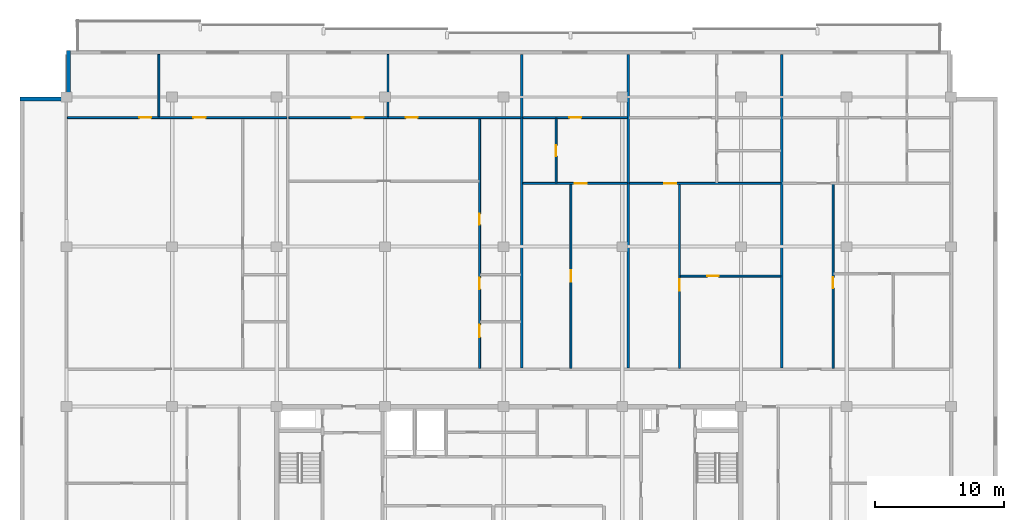
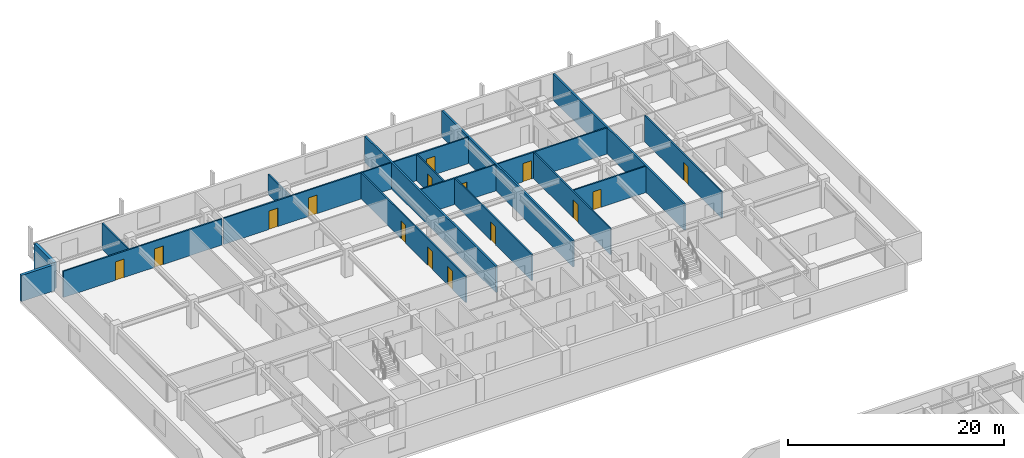
# One storey, part 13 of 21: 18 walls, 15 doors, 15 openings.
"""IFC4 building model written with IfcOpenShell, lengths in metres."""

from ifc_helpers import new_model, si_unit, direction, frame, frame_2d, origin, place, context, subcontext, project, spatial, rectangle, extrude, material, layer, layer_set, type_object, element, fill, save


model = new_model("IFC4")

# Units and contexts
model_context = context("Model", 3, precision=1e-05, world=origin(), true_north=direction((0.0, 1.0)))
body_context = subcontext(model_context, "Body", "Model", "MODEL_VIEW")
ifc_project = project(units=[si_unit("LENGTHUNIT", "METRE"), si_unit("AREAUNIT", "SQUARE_METRE"), si_unit("VOLUMEUNIT", "CUBIC_METRE"), si_unit("PLANEANGLEUNIT", "RADIAN"), si_unit("MASSUNIT", "GRAM", prefix="KILO")], contexts=[model_context])

# Site, building, storey
site_placement = place(None, origin())
site = spatial("IfcSite", under=ifc_project, at=site_placement, CompositionType="ELEMENT")
building_placement = place(site_placement, origin())
building = spatial("IfcBuilding", under=site, at=building_placement, Name="Korimba Cascade Residences", CompositionType="ELEMENT")
storey_placement = place(building_placement, frame((0.0, 0.0, 184.85009765625)))
storey = spatial("IfcBuildingStorey", under=building, at=storey_placement, Name="L53", CompositionType="ELEMENT", Elevation=184.85009765625)

# Walls
ifc_material_1 = material(Name="Precast concrete C40/50", Category="concrete")
ifc_layer_1 = layer(ifc_material_1, 0.300048828125)
ifc_layer_set_1 = layer_set([ifc_layer_1], Name="Precast concrete C40/50")
wall_type_1 = type_object("IfcWallType", Name="EW-STONE-300", PredefinedType="STANDARD", material=ifc_layer_set_1)
for number, where, z_axis, x_axis, name in (
    (1, (59.949951171875, 94.800048828125, 0.0), (0.0, 0.0, 1.0), (0.0, -1.0, 0.0), "L53 T1 Perimeter Stone Wall E07"),
    (2, (59.800048828125, 91.050048828125, 0.0), (0.0, 0.0, 1.0), (-1.0, 0.0, 0.0), "L53 T1 Perimeter Stone Wall E08"),
):
    element("IfcWall", number, at=place(storey_placement, frame(where, z_axis=z_axis, x_axis=x_axis)), inside=storey, type_object=wall_type_1, Name=name, PredefinedType="STANDARD", context=body_context, shape_type="SweptSolid", body=[
        extrude(rectangle(XDim=3.60009765625, YDim=0.300048828125, at=frame_2d((1.800048828125, 0.0))), origin(), (0.0, 0.0, 1.0), 2.969970703125),
    ])
ifc_layer_2 = layer(ifc_material_1, 0.199951171875)
ifc_layer_set_2 = layer_set([ifc_layer_2], Name="Precast concrete C40/50")
wall_type_2 = type_object("IfcWallType", Name="WAL-IT-200", PredefinedType="PARTITIONING", material=ifc_layer_set_2)
for number, where, z_axis, x_axis, name in (
    (3, (95.111328125, 70.179931640625, 0.0), (0.0, 0.0, 1.0), (0.0, 1.0, 0.0), "L53 Partition Wall WAL-L53-T1-DEM-2"),
    (4, (103.37060546875, 70.179931640625, 0.0), (0.0, 0.0, 1.0), (0.0, 1.0, 0.0), "L53 Partition Wall WAL-L53-T1-DEM-3"),
    (5, (115.27734375, 70.179931640625, 0.0), (0.0, 0.0, 1.0), (0.0, 1.0, 0.0), "L53 Partition Wall WAL-L53-T1-DEM-4"),
):
    element("IfcWall", number, at=place(storey_placement, frame(where, z_axis=z_axis, x_axis=x_axis)), inside=storey, type_object=wall_type_2, Name=name, PredefinedType="PARTITIONING", context=body_context, shape_type="SweptSolid", body=[
        extrude(rectangle(XDim=24.320068359375, YDim=0.199951171875, at=frame_2d((12.16015625, 0.0))), origin(), (0.0, 0.0, 1.0), 2.969970703125),
    ])
ifc_material_2 = material(Name="Insulated Acoustic Stud Partition", Category="gypsum")
ifc_layer_3 = layer(ifc_material_2, 0.14990234375)
ifc_layer_set_3 = layer_set([ifc_layer_3], Name="Insulated Acoustic Stud Partition")
wall_type_3 = type_object("IfcWallType", Name="WAL-PART-150", PredefinedType="PARTITIONING", material=ifc_layer_set_3)
wall_1_placement = place(storey_placement, frame((66.964111328125, 89.679931640625, 0.0), z_axis=(0.0, 0.0, 1.0), x_axis=(0.0, 1.0, 0.0)))
element("IfcWall", 6, at=wall_1_placement, inside=storey, type_object=wall_type_3, Name="L53 Partition Wall WAL-L53-T1-U01-OUTV", PredefinedType="PARTITIONING", context=body_context, shape_type="SweptSolid", body=[
    extrude(rectangle(XDim=4.820068359375, YDim=0.14990234375, at=frame_2d((2.41015625, 0.0))), origin(), (0.0, 0.0, 1.0), 2.969970703125),
])

# Wall, openings, doors
wall_2_placement = place(storey_placement, frame((59.8798828125, 89.60009765625, 0.0), z_axis=(0.0, 0.0, 1.0), x_axis=(1.0, 0.0, 0.0)))
wall_2 = element("IfcWall", 7, at=wall_2_placement, inside=storey, type_object=wall_type_3, Name="L53 Partition Wall WAL-L53-T1-U01-HZ", PredefinedType="PARTITIONING", context=body_context, shape_type="SweptSolid", body=[
    extrude(rectangle(XDim=17.00830078125, YDim=0.14990234375, at=frame_2d((8.504150390625, 0.0))), origin(), (0.0, 0.0, 1.0), 2.969970703125),
])
opening_1_placement = place(wall_2_placement, frame((5.555419921875, 0.0, 0.0)))
opening_1 = element("IfcOpeningElement", 8, at=opening_1_placement, cuts=wall_2, Name="Opening D-IN0", PredefinedType="OPENING", context=body_context, shape_type="SweptSolid", body=[
    extrude(rectangle(XDim=0.93994140625, YDim=2.10009765625, at=frame_2d((0.469970703125, 1.050048828125))), frame((0.0, 0.0849609375, 0.0), z_axis=(0.0, -1.0, 0.0), x_axis=(1.0, 0.0, 0.0)), (0.0, 0.0, 1.0), 0.169921875),
])
opening_2_placement = place(wall_2_placement, frame((9.764892578125, 0.0, 0.0)))
opening_2 = element("IfcOpeningElement", 9, at=opening_2_placement, cuts=wall_2, Name="Opening D-IN0", PredefinedType="OPENING", context=body_context, shape_type="SweptSolid", body=[
    extrude(rectangle(XDim=0.93994140625, YDim=2.10009765625, at=frame_2d((0.469970703125, 1.050048828125))), frame((0.0, 0.0849609375, 0.0), z_axis=(0.0, -1.0, 0.0), x_axis=(1.0, 0.0, 0.0)), (0.0, 0.0, 1.0), 0.169921875),
])
ifc_material_3 = material(Name="Acoustic Timber Living Archway Door", Category="wood")
door_type_1 = type_object("IfcDoorType", Name="DR-INT-950", OperationType="NOTDEFINED", PredefinedType="DOOR", material=ifc_material_3)
door_1_placement = place(opening_1_placement, origin())
door_1 = element("IfcDoor", 10, at=door_1_placement, inside=storey, type_object=door_type_1, Name="L53-T1-U01 Resident Boardroom Door", OperationType="SINGLE_SWING_LEFT", OverallHeight=2.10009765625, OverallWidth=0.93994140625, PredefinedType="DOOR", context=body_context, shape_type="SweptSolid", body=[
    extrude(rectangle(XDim=0.93994140625, YDim=2.10009765625, at=frame_2d((0.469970703125, 1.050048828125))), frame((0.0, 0.02490234375, 0.0), z_axis=(0.0, -1.0, 0.0), x_axis=(1.0, 0.0, 0.0)), (0.0, 0.0, 1.0), 0.050048828125),
])
fill(opening_1, door_1)
door_2_placement = place(opening_2_placement, origin())
door_2 = element("IfcDoor", 11, at=door_2_placement, inside=storey, type_object=door_type_1, Name="L53-T1-U01 Executive Seminar Room Door", OperationType="SINGLE_SWING_RIGHT", OverallHeight=2.10009765625, OverallWidth=0.93994140625, PredefinedType="DOOR", context=body_context, shape_type="SweptSolid", body=[
    extrude(rectangle(XDim=0.93994140625, YDim=2.10009765625, at=frame_2d((0.469970703125, 1.050048828125))), frame((0.0, 0.02490234375, 0.0), z_axis=(0.0, -1.0, 0.0), x_axis=(1.0, 0.0, 0.0)), (0.0, 0.0, 1.0), 0.050048828125),
])
fill(opening_2, door_2)

wall_3_placement = place(storey_placement, frame((91.84130859375, 70.159912109375, 0.0), z_axis=(0.0, 0.0, 1.0), x_axis=(0.0, 1.0, 0.0)))
wall_3 = element("IfcWall", 12, at=wall_3_placement, inside=storey, type_object=wall_type_3, Name="L53 Partition Wall WAL-L53-T1-U02-WCV", PredefinedType="PARTITIONING", context=body_context, shape_type="SweptSolid", body=[
    extrude(rectangle(XDim=19.380126953125, YDim=0.14990234375, at=frame_2d((9.68994140625, 0.0))), origin(), (0.0, 0.0, 1.0), 2.969970703125),
])
opening_3_placement = place(wall_3_placement, frame((2.406005859375, 0.0, 0.0)))
opening_3 = element("IfcOpeningElement", 13, at=opening_3_placement, cuts=wall_3, Name="Opening D-AC1", PredefinedType="OPENING", context=body_context, shape_type="SweptSolid", body=[
    extrude(rectangle(XDim=0.9599609375, YDim=2.10009765625, at=frame_2d((0.47998046875, 1.050048828125))), frame((0.0, 0.0849609375, 0.0), z_axis=(0.0, -1.0, 0.0), x_axis=(1.0, 0.0, 0.0)), (0.0, 0.0, 1.0), 0.169921875),
])
opening_4_placement = place(wall_3_placement, frame((6.132568359375, 0.0, 0.0)))
opening_4 = element("IfcOpeningElement", 14, at=opening_4_placement, cuts=wall_3, Name="Opening D-IN2", PredefinedType="OPENING", context=body_context, shape_type="SweptSolid", body=[
    extrude(rectangle(XDim=0.8798828125, YDim=2.06005859375, at=frame_2d((0.43994140625, 1.030029296875))), frame((0.0, 0.0849609375, 0.0), z_axis=(0.0, -1.0, 0.0), x_axis=(1.0, 0.0, 0.0)), (0.0, 0.0, 1.0), 0.169921875),
])
opening_5_placement = place(wall_3_placement, frame((11.138916015625, 0.0, 0.0)))
opening_5 = element("IfcOpeningElement", 15, at=opening_5_placement, cuts=wall_3, Name="Opening D-BT1", PredefinedType="OPENING", context=body_context, shape_type="SweptSolid", body=[
    extrude(rectangle(XDim=0.840087890625, YDim=2.0400390625, at=frame_2d((0.419921875, 1.02001953125))), frame((0.0, 0.0849609375, 0.0), z_axis=(0.0, -1.0, 0.0), x_axis=(1.0, 0.0, 0.0)), (0.0, 0.0, 1.0), 0.169921875),
])
ifc_material_4 = material(Name="Accessible Acoustic Timber WC Door", Category="wood")
door_type_2 = type_object("IfcDoorType", Name="DR-ACC-950", OperationType="NOTDEFINED", PredefinedType="DOOR", material=ifc_material_4)
door_3_placement = place(opening_3_placement, origin())
door_3 = element("IfcDoor", 16, at=door_3_placement, inside=storey, type_object=door_type_2, Name="L53-T1-U02 Accessible WC Door", OperationType="SINGLE_SWING_RIGHT", OverallHeight=2.10009765625, OverallWidth=0.9599609375, PredefinedType="DOOR", context=body_context, shape_type="SweptSolid", body=[
    extrude(rectangle(XDim=0.9599609375, YDim=2.10009765625, at=frame_2d((0.47998046875, 1.050048828125))), frame((0.0, 0.02490234375, 0.0), z_axis=(0.0, -1.0, 0.0), x_axis=(1.0, 0.0, 0.0)), (0.0, 0.0, 1.0), 0.050048828125),
])
fill(opening_3, door_3)
ifc_material_5 = material(Name="Moisture-Resistant Bathroom Timber Door", Category="wood")
door_type_3 = type_object("IfcDoorType", Name="DR-INT-850", OperationType="NOTDEFINED", PredefinedType="DOOR", material=ifc_material_5)
door_4_placement = place(opening_5_placement, origin())
door_4 = element("IfcDoor", 17, at=door_4_placement, inside=storey, type_object=door_type_3, Name="L53-T1-U02 Suite Store Door", OperationType="SINGLE_SWING_RIGHT", OverallHeight=2.0400390625, OverallWidth=0.840087890625, PredefinedType="DOOR", context=body_context, shape_type="SweptSolid", body=[
    extrude(rectangle(XDim=0.840087890625, YDim=2.0400390625, at=frame_2d((0.419921875, 1.02001953125))), frame((0.0, 0.02490234375, 0.0), z_axis=(0.0, -1.0, 0.0), x_axis=(1.0, 0.0, 0.0)), (0.0, 0.0, 1.0), 0.050048828125),
])
fill(opening_5, door_4)
ifc_material_6 = material(Name="Acoustic Timber Bedroom Door", Category="wood")
door_type_4 = type_object("IfcDoorType", Name="DR-INT-880", OperationType="NOTDEFINED", PredefinedType="DOOR", material=ifc_material_6)
door_5_placement = place(opening_4_placement, origin())
door_5 = element("IfcDoor", 18, at=door_5_placement, inside=storey, type_object=door_type_4, Name="L53-T1-U02 Restroom WC Door", OperationType="SINGLE_SWING_LEFT", OverallHeight=2.06005859375, OverallWidth=0.8798828125, PredefinedType="DOOR", context=body_context, shape_type="SweptSolid", body=[
    extrude(rectangle(XDim=0.8798828125, YDim=2.06005859375, at=frame_2d((0.43994140625, 1.030029296875))), frame((0.0, 0.02490234375, 0.0), z_axis=(0.0, -1.0, 0.0), x_axis=(1.0, 0.0, 0.0)), (0.0, 0.0, 1.0), 0.050048828125),
])
fill(opening_4, door_5)

# Wall
wall_4_placement = place(storey_placement, frame((84.73486328125, 89.679931640625, 0.0), z_axis=(0.0, 0.0, 1.0), x_axis=(0.0, 1.0, 0.0)))
element("IfcWall", 19, at=wall_4_placement, inside=storey, type_object=wall_type_3, Name="L53 Partition Wall WAL-L53-T1-U02-OUTV", PredefinedType="PARTITIONING", context=body_context, shape_type="SweptSolid", body=[
    extrude(rectangle(XDim=4.820068359375, YDim=0.14990234375, at=frame_2d((2.41015625, 0.0))), origin(), (0.0, 0.0, 1.0), 2.277099609375),
])

# Wall, openings, doors
wall_5_placement = place(storey_placement, frame((77.048095703125, 89.60009765625, 0.0), z_axis=(0.0, 0.0, 1.0), x_axis=(1.0, 0.0, 0.0)))
wall_5 = element("IfcWall", 20, at=wall_5_placement, inside=storey, type_object=wall_type_3, Name="L53 Partition Wall WAL-L53-T1-U02-HZ", PredefinedType="PARTITIONING", context=body_context, shape_type="SweptSolid", body=[
    extrude(rectangle(XDim=17.9833984375, YDim=0.14990234375, at=frame_2d((8.99169921875, 0.0))), origin(), (0.0, 0.0, 1.0), 2.969970703125),
])
opening_6_placement = place(wall_5_placement, frame((4.87255859375, 0.0, 0.0)))
opening_6 = element("IfcOpeningElement", 21, at=opening_6_placement, cuts=wall_5, Name="Opening D-IN0", PredefinedType="OPENING", context=body_context, shape_type="SweptSolid", body=[
    extrude(rectangle(XDim=0.93994140625, YDim=2.10009765625, at=frame_2d((0.469970703125, 1.050048828125))), frame((0.0, 0.0849609375, 0.0), z_axis=(0.0, -1.0, 0.0), x_axis=(1.0, 0.0, 0.0)), (0.0, 0.0, 1.0), 0.169921875),
])
opening_7_placement = place(wall_5_placement, frame((9.06982421875, 0.0, 0.0)))
opening_7 = element("IfcOpeningElement", 22, at=opening_7_placement, cuts=wall_5, Name="Opening D-IN0", PredefinedType="OPENING", context=body_context, shape_type="SweptSolid", body=[
    extrude(rectangle(XDim=0.93994140625, YDim=2.10009765625, at=frame_2d((0.469970703125, 1.050048828125))), frame((0.0, 0.0849609375, 0.0), z_axis=(0.0, -1.0, 0.0), x_axis=(1.0, 0.0, 0.0)), (0.0, 0.0, 1.0), 0.169921875),
])
door_6_placement = place(opening_6_placement, origin())
door_6 = element("IfcDoor", 23, at=door_6_placement, inside=storey, type_object=door_type_1, Name="L53-T1-U02 Hydrotherapy Wellness Clinic Door", OperationType="SINGLE_SWING_LEFT", OverallHeight=2.10009765625, OverallWidth=0.93994140625, PredefinedType="DOOR", context=body_context, shape_type="SweptSolid", body=[
    extrude(rectangle(XDim=0.93994140625, YDim=2.10009765625, at=frame_2d((0.469970703125, 1.050048828125))), frame((0.0, 0.02490234375, 0.0), z_axis=(0.0, -1.0, 0.0), x_axis=(1.0, 0.0, 0.0)), (0.0, 0.0, 1.0), 0.050048828125),
])
fill(opening_6, door_6)
door_7_placement = place(opening_7_placement, origin())
door_7 = element("IfcDoor", 24, at=door_7_placement, inside=storey, type_object=door_type_1, Name="L53-T1-U02 Physiotherapy Treatment Room Door", OperationType="SINGLE_SWING_RIGHT", OverallHeight=2.10009765625, OverallWidth=0.93994140625, PredefinedType="DOOR", context=body_context, shape_type="SweptSolid", body=[
    extrude(rectangle(XDim=0.93994140625, YDim=2.10009765625, at=frame_2d((0.469970703125, 1.050048828125))), frame((0.0, 0.02490234375, 0.0), z_axis=(0.0, -1.0, 0.0), x_axis=(1.0, 0.0, 0.0)), (0.0, 0.0, 1.0), 0.050048828125),
])
fill(opening_7, door_7)

# Wall, opening, door
wall_6_placement = place(storey_placement, frame((98.920166015625, 70.159912109375, 0.0), z_axis=(0.0, 0.0, 1.0), x_axis=(0.0, 1.0, 0.0)))
wall_6 = element("IfcWall", 25, at=wall_6_placement, inside=storey, type_object=wall_type_3, Name="L53 Partition Wall WAL-L53-T1-U03-FV", PredefinedType="PARTITIONING", context=body_context, shape_type="SweptSolid", body=[
    extrude(rectangle(XDim=14.300048828125, YDim=0.14990234375, at=frame_2d((7.14990234375, 0.0))), origin(), (0.0, 0.0, 1.0), 2.969970703125),
])
opening_8_placement = place(wall_6_placement, frame((6.7099609375, 0.0, 0.0)))
opening_8 = element("IfcOpeningElement", 26, at=opening_8_placement, cuts=wall_6, Name="Opening D-IN2", PredefinedType="OPENING", context=body_context, shape_type="SweptSolid", body=[
    extrude(rectangle(XDim=0.8798828125, YDim=2.06005859375, at=frame_2d((0.43994140625, 1.030029296875))), frame((0.0, 0.0849609375, 0.0), z_axis=(0.0, -1.0, 0.0), x_axis=(1.0, 0.0, 0.0)), (0.0, 0.0, 1.0), 0.169921875),
])
door_8_placement = place(opening_8_placement, origin())
door_8 = element("IfcDoor", 27, at=door_8_placement, inside=storey, type_object=door_type_4, Name="L53-T1-U03 Media Lounge Door", OperationType="SINGLE_SWING_LEFT", OverallHeight=2.06005859375, OverallWidth=0.8798828125, PredefinedType="DOOR", context=body_context, shape_type="SweptSolid", body=[
    extrude(rectangle(XDim=0.8798828125, YDim=2.06005859375, at=frame_2d((0.43994140625, 1.030029296875))), frame((0.0, 0.02490234375, 0.0), z_axis=(0.0, -1.0, 0.0), x_axis=(1.0, 0.0, 0.0)), (0.0, 0.0, 1.0), 0.050048828125),
])
fill(opening_8, door_8)

wall_7_placement = place(storey_placement, frame((97.771484375, 84.5400390625, 0.0), z_axis=(0.0, 0.0, 1.0), x_axis=(0.0, 1.0, 0.0)))
wall_7 = element("IfcWall", 28, at=wall_7_placement, inside=storey, type_object=wall_type_3, Name="L53 Partition Wall WAL-L53-T1-U03-BM", PredefinedType="PARTITIONING", context=body_context, shape_type="SweptSolid", body=[
    extrude(rectangle(XDim=5.0, YDim=0.14990234375, at=frame_2d((2.5, 0.0))), origin(), (0.0, 0.0, 1.0), 2.969970703125),
])
opening_9_placement = place(wall_7_placement, frame((2.080078125, 0.0, 0.0)))
opening_9 = element("IfcOpeningElement", 29, at=opening_9_placement, cuts=wall_7, Name="Opening D-BT1", PredefinedType="OPENING", context=body_context, shape_type="SweptSolid", body=[
    extrude(rectangle(XDim=0.840087890625, YDim=2.0400390625, at=frame_2d((0.419921875, 1.02001953125))), frame((0.0, 0.0849609375, 0.0), z_axis=(0.0, -1.0, 0.0), x_axis=(1.0, 0.0, 0.0)), (0.0, 0.0, 1.0), 0.169921875),
])
door_9_placement = place(opening_9_placement, origin())
door_9 = element("IfcDoor", 30, at=door_9_placement, inside=storey, type_object=door_type_3, Name="L53-T1-U03 Bathroom Door", OperationType="SINGLE_SWING_RIGHT", OverallHeight=2.0400390625, OverallWidth=0.840087890625, PredefinedType="DOOR", context=body_context, shape_type="SweptSolid", body=[
    extrude(rectangle(XDim=0.840087890625, YDim=2.0400390625, at=frame_2d((0.419921875, 1.02001953125))), frame((0.0, 0.02490234375, 0.0), z_axis=(0.0, -1.0, 0.0), x_axis=(1.0, 0.0, 0.0)), (0.0, 0.0, 1.0), 0.050048828125),
])
fill(opening_9, door_9)

wall_8_placement = place(storey_placement, frame((95.19140625, 84.5, 0.0), z_axis=(0.0, 0.0, 1.0), x_axis=(1.0, 0.0, 0.0)))
wall_8 = element("IfcWall", 31, at=wall_8_placement, inside=storey, type_object=wall_type_3, Name="L53 Partition Wall WAL-L53-T1-U03-MW", PredefinedType="PARTITIONING", context=body_context, shape_type="SweptSolid", body=[
    extrude(rectangle(XDim=8.09912109375, YDim=0.14990234375, at=frame_2d((4.049560546875, 0.0))), origin(), (0.0, 0.0, 1.0), 2.969970703125),
])
opening_10_placement = place(wall_8_placement, frame((4.026611328125, 0.0, 0.0)))
opening_10 = element("IfcOpeningElement", 32, at=opening_10_placement, cuts=wall_8, Name="Opening D-IN1", PredefinedType="OPENING", context=body_context, shape_type="SweptSolid", body=[
    extrude(rectangle(XDim=0.919921875, YDim=2.080078125, at=frame_2d((0.4599609375, 1.0400390625))), frame((0.0, 0.0849609375, 0.0), z_axis=(0.0, -1.0, 0.0), x_axis=(1.0, 0.0, 0.0)), (0.0, 0.0, 1.0), 0.169921875),
])
ifc_material_7 = material(Name="Acoustic Timber Living Door", Category="wood")
door_type_5 = type_object("IfcDoorType", Name="DR-INT-920", OperationType="NOTDEFINED", PredefinedType="DOOR", material=ifc_material_7)
door_10_placement = place(opening_10_placement, origin())
door_10 = element("IfcDoor", 33, at=door_10_placement, inside=storey, type_object=door_type_5, Name="L53-T1-U03 Studio Kitchen Door", OperationType="SINGLE_SWING_LEFT", OverallHeight=2.080078125, OverallWidth=0.919921875, PredefinedType="DOOR", context=body_context, shape_type="SweptSolid", body=[
    extrude(rectangle(XDim=0.919921875, YDim=2.080078125, at=frame_2d((0.4599609375, 1.0400390625))), frame((0.0, 0.02490234375, 0.0), z_axis=(0.0, -1.0, 0.0), x_axis=(1.0, 0.0, 0.0)), (0.0, 0.0, 1.0), 0.050048828125),
])
fill(opening_10, door_10)

wall_9_placement = place(storey_placement, frame((95.19140625, 89.60009765625, 0.0), z_axis=(0.0, 0.0, 1.0), x_axis=(1.0, 0.0, 0.0)))
wall_9 = element("IfcWall", 34, at=wall_9_placement, inside=storey, type_object=wall_type_3, Name="L53 Partition Wall WAL-L53-T1-U03-HZ", PredefinedType="PARTITIONING", context=body_context, shape_type="SweptSolid", body=[
    extrude(rectangle(XDim=8.09912109375, YDim=0.14990234375, at=frame_2d((4.049560546875, 0.0))), origin(), (0.0, 0.0, 1.0), 2.969970703125),
])
opening_11_placement = place(wall_9_placement, frame((3.589599609375, 0.0, 0.0)))
opening_11 = element("IfcOpeningElement", 35, at=opening_11_placement, cuts=wall_9, Name="Opening D-IN1", PredefinedType="OPENING", context=body_context, shape_type="SweptSolid", body=[
    extrude(rectangle(XDim=0.919921875, YDim=2.080078125, at=frame_2d((0.4599609375, 1.0400390625))), frame((0.0, 0.0849609375, 0.0), z_axis=(0.0, -1.0, 0.0), x_axis=(1.0, 0.0, 0.0)), (0.0, 0.0, 1.0), 0.169921875),
])
door_11_placement = place(opening_11_placement, origin())
door_11 = element("IfcDoor", 36, at=door_11_placement, inside=storey, type_object=door_type_5, Name="L53-T1-U03 Studio Door", OperationType="SINGLE_SWING_RIGHT", OverallHeight=2.080078125, OverallWidth=0.919921875, PredefinedType="DOOR", context=body_context, shape_type="SweptSolid", body=[
    extrude(rectangle(XDim=0.919921875, YDim=2.080078125, at=frame_2d((0.4599609375, 1.0400390625))), frame((0.0, 0.02490234375, 0.0), z_axis=(0.0, -1.0, 0.0), x_axis=(1.0, 0.0, 0.0)), (0.0, 0.0, 1.0), 0.050048828125),
])
fill(opening_11, door_11)

wall_10_placement = place(storey_placement, frame((107.400390625, 77.31005859375, 0.0), z_axis=(0.0, 0.0, 1.0), x_axis=(1.0, 0.0, 0.0)))
wall_10 = element("IfcWall", 37, at=wall_10_placement, inside=storey, type_object=wall_type_3, Name="L53 Partition Wall WAL-L53-T1-U04-FMH", PredefinedType="PARTITIONING", context=body_context, shape_type="SweptSolid", body=[
    extrude(rectangle(XDim=7.796875, YDim=0.14990234375, at=frame_2d((3.8984375, 0.0))), origin(), (0.0, 0.0, 1.0), 2.969970703125),
])
opening_12_placement = place(wall_10_placement, frame((2.0908203125, 0.0, 0.0)))
opening_12 = element("IfcOpeningElement", 38, at=opening_12_placement, cuts=wall_10, Name="Opening D-IN2", PredefinedType="OPENING", context=body_context, shape_type="SweptSolid", body=[
    extrude(rectangle(XDim=0.8798828125, YDim=2.06005859375, at=frame_2d((0.43994140625, 1.030029296875))), frame((0.0, 0.0849609375, 0.0), z_axis=(0.0, -1.0, 0.0), x_axis=(1.0, 0.0, 0.0)), (0.0, 0.0, 1.0), 0.169921875),
])
door_12_placement = place(opening_12_placement, origin())
door_12 = element("IfcDoor", 39, at=door_12_placement, inside=storey, type_object=door_type_4, Name="L53-T1-U04 Library Salon Door", OperationType="SINGLE_SWING_LEFT", OverallHeight=2.06005859375, OverallWidth=0.8798828125, PredefinedType="DOOR", context=body_context, shape_type="SweptSolid", body=[
    extrude(rectangle(XDim=0.8798828125, YDim=2.06005859375, at=frame_2d((0.43994140625, 1.030029296875))), frame((0.0, 0.02490234375, 0.0), z_axis=(0.0, -1.0, 0.0), x_axis=(1.0, 0.0, 0.0)), (0.0, 0.0, 1.0), 0.050048828125),
])
fill(opening_12, door_12)

wall_11_placement = place(storey_placement, frame((107.340576171875, 70.159912109375, 0.0), z_axis=(0.0, 0.0, 1.0), x_axis=(0.0, 1.0, 0.0)))
wall_11 = element("IfcWall", 40, at=wall_11_placement, inside=storey, type_object=wall_type_3, Name="L53 Partition Wall WAL-L53-T1-U04-FV", PredefinedType="PARTITIONING", context=body_context, shape_type="SweptSolid", body=[
    extrude(rectangle(XDim=14.300048828125, YDim=0.14990234375, at=frame_2d((7.14990234375, 0.0))), origin(), (0.0, 0.0, 1.0), 2.969970703125),
])
opening_13_placement = place(wall_11_placement, frame((6.02001953125, 0.0, 0.0)))
opening_13 = element("IfcOpeningElement", 41, at=opening_13_placement, cuts=wall_11, Name="Opening D-IN2", PredefinedType="OPENING", context=body_context, shape_type="SweptSolid", body=[
    extrude(rectangle(XDim=0.8798828125, YDim=2.06005859375, at=frame_2d((0.43994140625, 1.030029296875))), frame((0.0, 0.0849609375, 0.0), z_axis=(0.0, -1.0, 0.0), x_axis=(1.0, 0.0, 0.0)), (0.0, 0.0, 1.0), 0.169921875),
])
door_13_placement = place(opening_13_placement, origin())
door_13 = element("IfcDoor", 42, at=door_13_placement, inside=storey, type_object=door_type_4, Name="L53-T1-U04 Media Lounge Door", OperationType="SINGLE_SWING_RIGHT", OverallHeight=2.06005859375, OverallWidth=0.8798828125, PredefinedType="DOOR", context=body_context, shape_type="SweptSolid", body=[
    extrude(rectangle(XDim=0.8798828125, YDim=2.06005859375, at=frame_2d((0.43994140625, 1.030029296875))), frame((0.0, 0.02490234375, 0.0), z_axis=(0.0, -1.0, 0.0), x_axis=(1.0, 0.0, 0.0)), (0.0, 0.0, 1.0), 0.050048828125),
])
fill(opening_13, door_13)

wall_12_placement = place(storey_placement, frame((103.450439453125, 84.5, 0.0), z_axis=(0.0, 0.0, 1.0), x_axis=(1.0, 0.0, 0.0)))
wall_12 = element("IfcWall", 43, at=wall_12_placement, inside=storey, type_object=wall_type_3, Name="L53 Partition Wall WAL-L53-T1-U04-MW", PredefinedType="PARTITIONING", context=body_context, shape_type="SweptSolid", body=[
    extrude(rectangle(XDim=11.746826171875, YDim=0.14990234375, at=frame_2d((5.87353515625, 0.0))), origin(), (0.0, 0.0, 1.0), 2.969970703125),
])
opening_14_placement = place(wall_12_placement, frame((2.719970703125, 0.0, 0.0)))
opening_14 = element("IfcOpeningElement", 44, at=opening_14_placement, cuts=wall_12, Name="Opening D-IN1", PredefinedType="OPENING", context=body_context, shape_type="SweptSolid", body=[
    extrude(rectangle(XDim=0.919921875, YDim=2.080078125, at=frame_2d((0.4599609375, 1.0400390625))), frame((0.0, 0.0849609375, 0.0), z_axis=(0.0, -1.0, 0.0), x_axis=(1.0, 0.0, 0.0)), (0.0, 0.0, 1.0), 0.169921875),
])
door_14_placement = place(opening_14_placement, origin())
door_14 = element("IfcDoor", 45, at=door_14_placement, inside=storey, type_object=door_type_5, Name="L53-T1-U04 Kitchen Archway Door", OperationType="SINGLE_SWING_RIGHT", OverallHeight=2.080078125, OverallWidth=0.919921875, PredefinedType="DOOR", context=body_context, shape_type="SweptSolid", body=[
    extrude(rectangle(XDim=0.919921875, YDim=2.080078125, at=frame_2d((0.4599609375, 1.0400390625))), frame((0.0, 0.02490234375, 0.0), z_axis=(0.0, -1.0, 0.0), x_axis=(1.0, 0.0, 0.0)), (0.0, 0.0, 1.0), 0.050048828125),
])
fill(opening_14, door_14)

wall_13_placement = place(storey_placement, frame((119.247314453125, 70.159912109375, 0.0), z_axis=(0.0, 0.0, 1.0), x_axis=(0.0, 1.0, 0.0)))
wall_13 = element("IfcWall", 46, at=wall_13_placement, inside=storey, type_object=wall_type_3, Name="L53 Partition Wall WAL-L53-T1-U05-FV", PredefinedType="PARTITIONING", context=body_context, shape_type="SweptSolid", body=[
    extrude(rectangle(XDim=14.300048828125, YDim=0.14990234375, at=frame_2d((7.14990234375, 0.0))), origin(), (0.0, 0.0, 1.0), 2.969970703125),
])
opening_15_placement = place(wall_13_placement, frame((6.199951171875, 0.0, 0.0)))
opening_15 = element("IfcOpeningElement", 47, at=opening_15_placement, cuts=wall_13, Name="Opening D-IN2", PredefinedType="OPENING", context=body_context, shape_type="SweptSolid", body=[
    extrude(rectangle(XDim=0.8798828125, YDim=2.06005859375, at=frame_2d((0.43994140625, 1.030029296875))), frame((0.0, 0.0849609375, 0.0), z_axis=(0.0, -1.0, 0.0), x_axis=(1.0, 0.0, 0.0)), (0.0, 0.0, 1.0), 0.169921875),
])
door_15_placement = place(opening_15_placement, origin())
door_15 = element("IfcDoor", 48, at=door_15_placement, inside=storey, type_object=door_type_4, Name="L53-T1-U05 Media Lounge Door", OperationType="SINGLE_SWING_RIGHT", OverallHeight=2.06005859375, OverallWidth=0.8798828125, PredefinedType="DOOR", context=body_context, shape_type="SweptSolid", body=[
    extrude(rectangle(XDim=0.8798828125, YDim=2.06005859375, at=frame_2d((0.43994140625, 1.030029296875))), frame((0.0, 0.02490234375, 0.0), z_axis=(0.0, -1.0, 0.0), x_axis=(1.0, 0.0, 0.0)), (0.0, 0.0, 1.0), 0.050048828125),
])
fill(opening_15, door_15)

save(model, "model.ifc")
